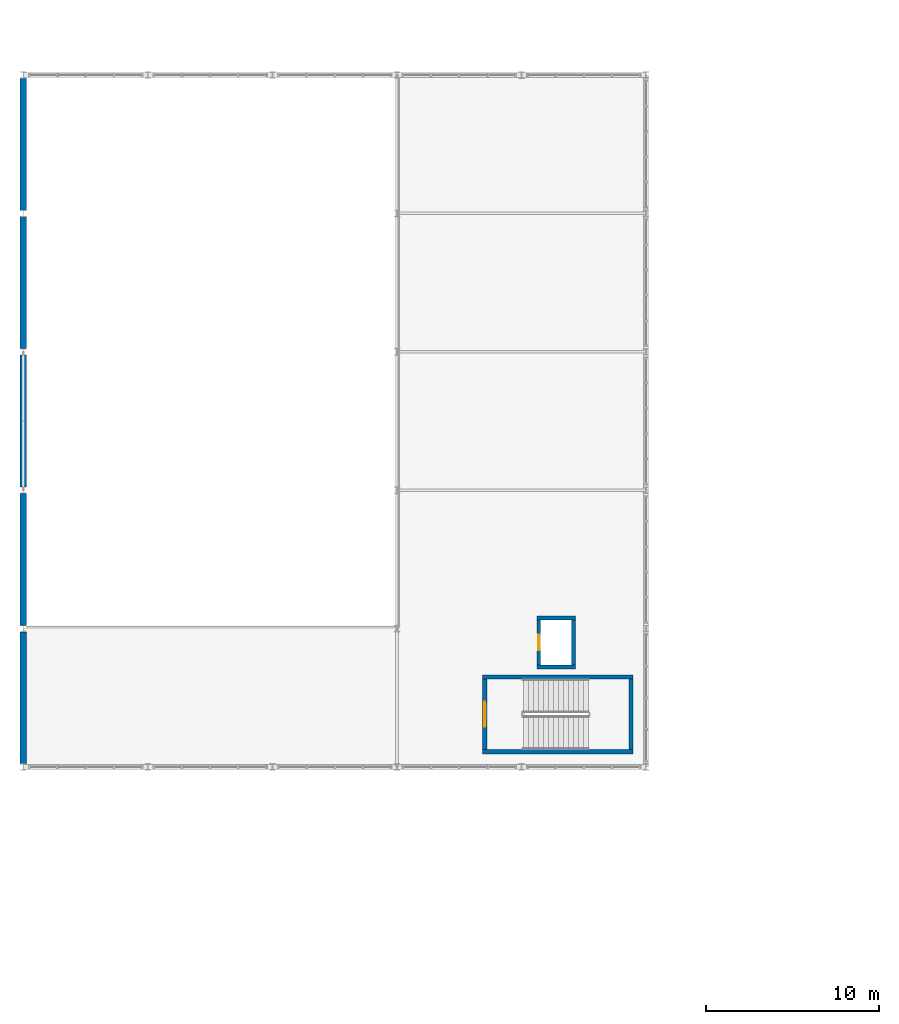
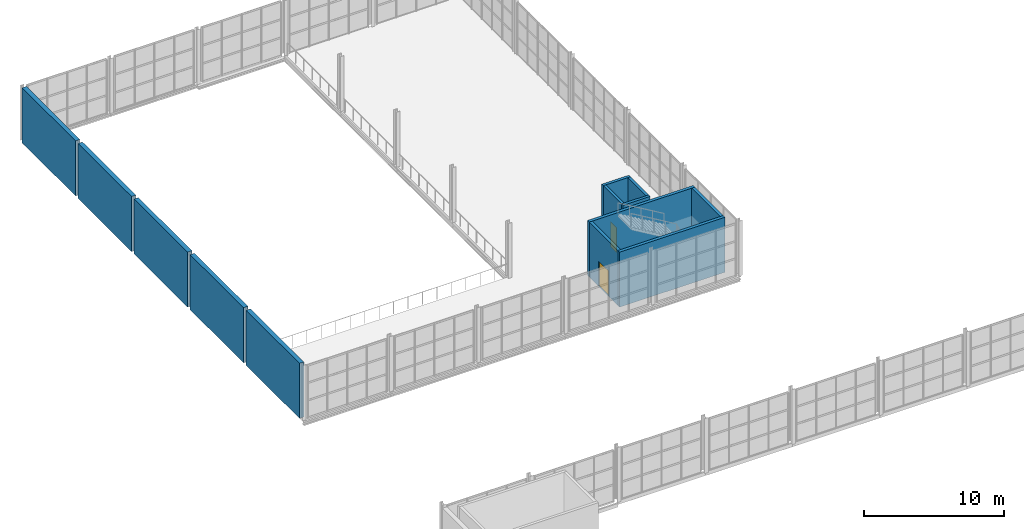
# One storey, part 124 of 143: 13 walls, 2 doors, 2 openings.
"""IFC4 building model written with IfcOpenShell, lengths in metres."""

from ifc_helpers import new_model, si_unit, derived_unit, direction, frame, frame_2d, origin, place, context, subcontext, project, spatial, rectangle, extrude, material, layer, layer_set, type_object, element, fill, save


model = new_model("IFC4")

# Units and contexts
model_context = context("Model", 3, precision=1e-05, world=origin(), true_north=direction((0.0, 1.0)))
body_context = subcontext(model_context, "Body", "Model", "MODEL_VIEW")
ifc_project = project(units=[si_unit("LENGTHUNIT", "METRE"), si_unit("AREAUNIT", "SQUARE_METRE"), si_unit("VOLUMEUNIT", "CUBIC_METRE"), si_unit("PLANEANGLEUNIT", "RADIAN"), si_unit("MASSUNIT", "GRAM", prefix="KILO"), derived_unit("THERMALTRANSMITTANCEUNIT", [(si_unit("POWERUNIT", "WATT"), 1), (si_unit("LENGTHUNIT", "METRE"), -2), (si_unit("THERMODYNAMICTEMPERATUREUNIT", "KELVIN"), -1)])], contexts=[model_context])

# Site, building, storey
site_placement = place(None, origin())
site = spatial("IfcSite", under=ifc_project, at=site_placement, CompositionType="ELEMENT")
building_placement = place(site_placement, origin())
building = spatial("IfcBuilding", under=site, at=building_placement, Name="Keldorne Ridge Multi-Sports Centre", CompositionType="ELEMENT")
storey_placement = place(building_placement, frame((0.0, 0.0, 4.800048828125)))
storey = spatial("IfcBuildingStorey", under=building, at=storey_placement, Name="L01", CompositionType="ELEMENT", Elevation=4.800048828125)

# Walls
ifc_material_1 = material(Name="Precast concrete C40/50", Category="concrete")
ifc_layer_1 = layer(ifc_material_1, 0.360107421875)
ifc_layer_set_1 = layer_set([ifc_layer_1], Name="Precast concrete C40/50")
wall_type_1 = type_object("IfcWallType", Name="WAL-PR-W2", PredefinedType="STANDARD", material=ifc_layer_set_1)
for number, where, z_axis, x_axis, name in (
    (1, (6.0, 81.818115234375, 0.0), (0.0, 0.0, 1.0), (0.0, -1.0, 0.0), "Climbing Hall west climbing wall L01.1"),
    (2, (6.0, 89.818115234375, 0.0), (0.0, 0.0, 1.0), (0.0, -1.0, 0.0), "Climbing Hall west climbing wall L01.2"),
    (3, (6.0, 97.818115234375, 0.0), (0.0, 0.0, 1.0), (0.0, -1.0, 0.0), "Climbing Hall west climbing wall L01.3"),
    (4, (6.0, 105.818115234375, 0.0), (0.0, 0.0, 1.0), (0.0, -1.0, 0.0), "Climbing Hall west climbing wall L01.4"),
    (5, (6.0, 113.818115234375, 0.0), (0.0, 0.0, 1.0), (0.0, -1.0, 0.0), "Climbing Hall west climbing wall L01.5"),
):
    element("IfcWall", number, at=place(storey_placement, frame(where, z_axis=z_axis, x_axis=x_axis)), inside=storey, type_object=wall_type_1, Name=name, PredefinedType="STANDARD", context=body_context, shape_type="SweptSolid", body=[
        extrude(rectangle(XDim=7.63623046875, YDim=0.360107421875, at=frame_2d((3.818115234375, 0.0))), origin(), (0.0, 0.0, 1.0), 4.800048828125),
    ])

# Wall, opening, door
ifc_material_2 = material(Name="Concrete C40/50", Category="concrete")
ifc_layer_2 = layer(ifc_material_2, 0.25)
ifc_layer_set_2 = layer_set([ifc_layer_2], Name="Concrete C40/50")
wall_type_2 = type_object("IfcWallType", Name="WAL-SW01", PredefinedType="SHEAR", material=ifc_layer_set_2)
wall_1_placement = place(storey_placement, frame((32.675048828125, 75.0, 0.0), z_axis=(0.0, 0.0, 1.0), x_axis=(0.0, 1.0, 0.0)))
wall_1 = element("IfcWall", 6, at=wall_1_placement, inside=storey, type_object=wall_type_2, Name="Stair ST-06 shaft wall L01 NEAR", PredefinedType="SHEAR", context=body_context, shape_type="SweptSolid", body=[
    extrude(rectangle(XDim=4.080078125, YDim=0.25, at=frame_2d((2.0400390625, 0.0))), origin(), (0.0, 0.0, 1.0), 4.800048828125),
])
opening_1_placement = place(wall_1_placement, frame((1.31494140625, 0.0, 0.0)))
opening_1 = element("IfcOpeningElement", 7, at=opening_1_placement, cuts=wall_1, Name="Opening D-05", PredefinedType="OPENING", context=body_context, shape_type="SweptSolid", body=[
    extrude(rectangle(XDim=1.449951171875, YDim=2.199951171875, at=frame_2d((0.72509765625, 1.10009765625))), frame((0.0, 0.135009765625, 0.0), z_axis=(0.0, -1.0, 0.0), x_axis=(1.0, 0.0, 0.0)), (0.0, 0.0, 1.0), 0.27001953125),
])
ifc_material_3 = material(Name="Steel fire-resisting pair", Category="steel")
door_type_1 = type_object("IfcDoorType", Name="DR-D-05", OperationType="NOTDEFINED", PredefinedType="DOOR", material=ifc_material_3)
door_1_placement = place(opening_1_placement, origin())
door_1 = element("IfcDoor", 8, at=door_1_placement, inside=storey, type_object=door_type_1, Name="Stair ST-06 L01 fire door D-030", OperationType="DOUBLE_DOOR_SINGLE_SWING", OverallHeight=2.199951171875, OverallWidth=1.449951171875, PredefinedType="DOOR", context=body_context, shape_type="SweptSolid", body=[
    extrude(rectangle(XDim=1.449951171875, YDim=2.199951171875, at=frame_2d((0.72509765625, 1.10009765625))), frame((0.0, 0.02490234375, 0.0), z_axis=(0.0, -1.0, 0.0), x_axis=(1.0, 0.0, 0.0)), (0.0, 0.0, 1.0), 0.050048828125),
])
fill(opening_1, door_1)

# Walls
wall_2_placement = place(storey_placement, frame((41.125, 79.080078125, 0.0), z_axis=(0.0, 0.0, 1.0), x_axis=(0.0, -1.0, 0.0)))
element("IfcWall", 9, at=wall_2_placement, inside=storey, type_object=wall_type_2, Name="Stair ST-06 shaft wall L01 FAR", PredefinedType="SHEAR", context=body_context, shape_type="SweptSolid", body=[
    extrude(rectangle(XDim=4.080078125, YDim=0.25, at=frame_2d((2.0400390625, 0.0))), origin(), (0.0, 0.0, 1.0), 4.800048828125),
])
for number, where, z_axis, x_axis, name in (
    (10, (32.550048828125, 74.875, 0.0), (0.0, 0.0, 1.0), (1.0, 0.0, 0.0), "Stair ST-06 shaft wall L01 SOUTH"),
    (11, (41.25, 79.205078125, 0.0), (0.0, 0.0, 1.0), (-1.0, 0.0, 0.0), "Stair ST-06 shaft wall L01 NORTH"),
):
    element("IfcWall", number, at=place(storey_placement, frame(where, z_axis=z_axis, x_axis=x_axis)), inside=storey, type_object=wall_type_2, Name=name, PredefinedType="SHEAR", context=body_context, shape_type="SweptSolid", body=[
        extrude(rectangle(XDim=8.699951171875, YDim=0.25, at=frame_2d((4.35009765625, 0.0))), origin(), (0.0, 0.0, 1.0), 4.800048828125),
    ])
ifc_layer_3 = layer(ifc_material_2, 0.22998046875)
ifc_layer_set_3 = layer_set([ifc_layer_3], Name="Concrete C40/50")
wall_type_3 = type_object("IfcWallType", Name="WAL-SW02", PredefinedType="SHEAR", material=ifc_layer_set_3)
for number, where, z_axis, x_axis, name in (
    (12, (35.679931640625, 79.7900390625, 0.0), (0.0, 0.0, 1.0), (1.0, 0.0, 0.0), "Lift L-04 shaft wall L01 south"),
    (13, (37.919921875, 82.610107421875, 0.0), (0.0, 0.0, 1.0), (-1.0, 0.0, 0.0), "Lift L-04 shaft wall L01 north"),
):
    element("IfcWall", number, at=place(storey_placement, frame(where, z_axis=z_axis, x_axis=x_axis)), inside=storey, type_object=wall_type_3, Name=name, PredefinedType="SHEAR", context=body_context, shape_type="SweptSolid", body=[
        extrude(rectangle(XDim=2.239990234375, YDim=0.219970703125, at=frame_2d((1.1201171875, 0.0))), origin(), (0.0, 0.0, 1.0), 4.800048828125),
    ])

# Wall, opening, door
wall_3_placement = place(storey_placement, frame((35.7900390625, 82.5, 0.0), z_axis=(0.0, 0.0, 1.0), x_axis=(0.0, -1.0, 0.0)))
wall_3 = element("IfcWall", 14, at=wall_3_placement, inside=storey, type_object=wall_type_3, Name="Lift L-04 shaft wall L01 west", PredefinedType="SHEAR", context=body_context, shape_type="SweptSolid", body=[
    extrude(rectangle(XDim=2.60009765625, YDim=0.219970703125, at=frame_2d((1.300048828125, 0.0))), origin(), (0.0, 0.0, 1.0), 4.800048828125),
])
opening_2_placement = place(wall_3_placement, frame((0.85009765625, 0.0, 0.0)))
opening_2 = element("IfcOpeningElement", 15, at=opening_2_placement, cuts=wall_3, Name="Opening LD-02", PredefinedType="OPENING", context=body_context, shape_type="SweptSolid", body=[
    extrude(rectangle(XDim=0.89990234375, YDim=2.14990234375, at=frame_2d((0.449951171875, 1.074951171875))), frame((0.0, 0.1201171875, 0.0), z_axis=(0.0, -1.0, 0.0), x_axis=(1.0, 0.0, 0.0)), (0.0, 0.0, 1.0), 0.239990234375),
])
ifc_material_4 = material(Name="Stainless steel", Category="steel")
door_type_2 = type_object("IfcDoorType", Name="DR-LD-02", OperationType="NOTDEFINED", PredefinedType="DOOR", material=ifc_material_4)
door_2_placement = place(opening_2_placement, origin())
door_2 = element("IfcDoor", 16, at=door_2_placement, inside=storey, type_object=door_type_2, Name="Lift L-04 sliding landing door L01", OperationType="SLIDING_TO_LEFT", OverallHeight=2.14990234375, OverallWidth=0.89990234375, PredefinedType="DOOR", context=body_context, shape_type="SweptSolid", body=[
    extrude(rectangle(XDim=0.89990234375, YDim=2.14990234375, at=frame_2d((0.449951171875, 1.074951171875))), frame((0.0, 0.02490234375, 0.0), z_axis=(0.0, -1.0, 0.0), x_axis=(1.0, 0.0, 0.0)), (0.0, 0.0, 1.0), 0.050048828125),
])
fill(opening_2, door_2)

# Wall
wall_4_placement = place(storey_placement, frame((37.81005859375, 79.89990234375, 0.0), z_axis=(0.0, 0.0, 1.0), x_axis=(0.0, 1.0, 0.0)))
element("IfcWall", 17, at=wall_4_placement, inside=storey, type_object=wall_type_3, Name="Lift L-04 shaft wall L01 east", PredefinedType="SHEAR", context=body_context, shape_type="SweptSolid", body=[
    extrude(rectangle(XDim=2.60009765625, YDim=0.219970703125, at=frame_2d((1.300048828125, 0.0))), origin(), (0.0, 0.0, 1.0), 4.800048828125),
])

save(model, "model.ifc")
